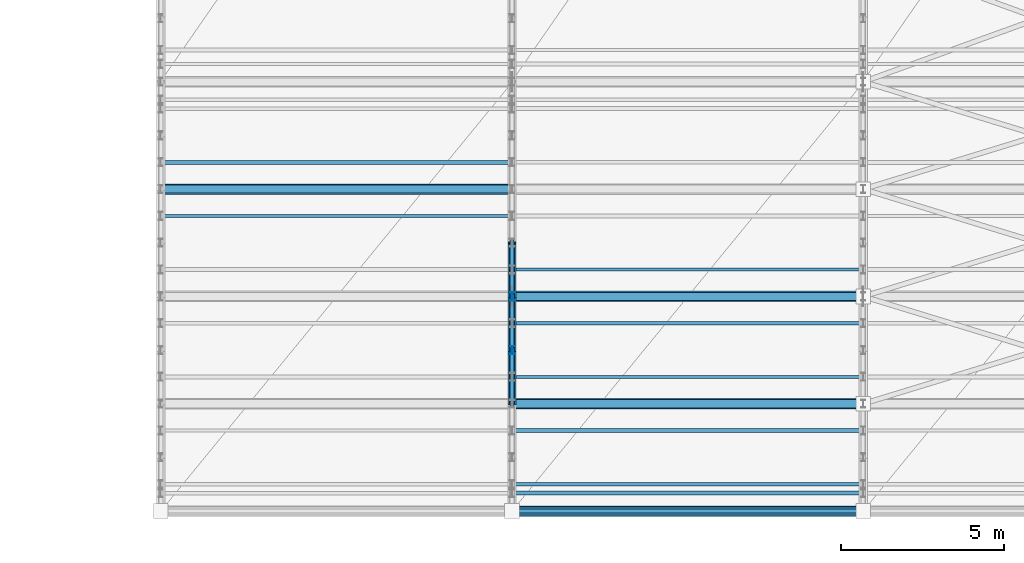
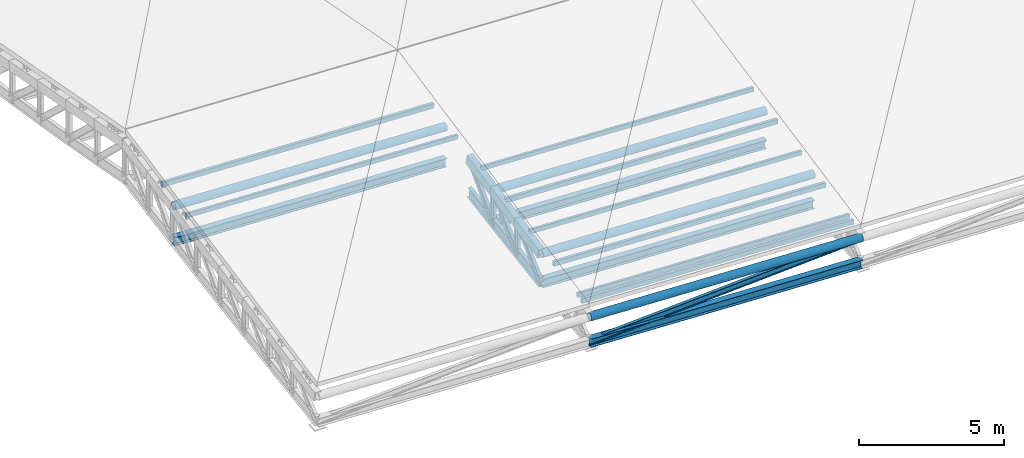
# One storey, part 14 of 89: 22 members, 6 beams.
"""IFC4 building model written with IfcOpenShell, lengths in metres."""

from ifc_helpers import new_model, si_unit, direction, frame, origin, origin_2d, place, context, subcontext, project, spatial, hollow_rectangle, hollow_circle, i_section, extrude, material, material_profile, profile_set, type_object, element, save


model = new_model("IFC4")

# Units and contexts
model_context = context("Model", 3, precision=1e-05, world=origin(), true_north=direction((0.0, 1.0)))
body_context = subcontext(model_context, "Body", "Model", "MODEL_VIEW")
ifc_project = project(units=[si_unit("LENGTHUNIT", "METRE"), si_unit("AREAUNIT", "SQUARE_METRE"), si_unit("VOLUMEUNIT", "CUBIC_METRE"), si_unit("PLANEANGLEUNIT", "RADIAN"), si_unit("MASSUNIT", "GRAM", prefix="KILO")], contexts=[model_context])

# Site, building, storey
site_placement = place(None, origin())
site = spatial("IfcSite", under=ifc_project, at=site_placement, CompositionType="ELEMENT")
building_placement = place(site_placement, origin())
building = spatial("IfcBuilding", under=site, at=building_placement, Name="Suirenkawa Promenade Aquatics Centre", CompositionType="ELEMENT")
storey_placement = place(building_placement, frame((0.0, 0.0, 9.60009765625)))
storey = spatial("IfcBuildingStorey", under=building, at=storey_placement, Name="L02", CompositionType="ELEMENT", Elevation=9.60009765625)

# Beams
ifc_material = material(Name="Steel IS 2062 E350 (Grade 350)", Category="steel")
ifc_material_profile_1 = material_profile(ifc_material, i_section(OverallWidth=0.14990234375, OverallDepth=0.449951171875, WebThickness=0.009033203125, FlangeThickness=0.01708984375, at=origin_2d()), Name="ISMB 450", Category="steel")
ifc_profile_set_1 = profile_set([ifc_material_profile_1], Name="Steel IS 2062 E350 (Grade 350)")
beam_type_1 = type_object("IfcBeamType", Name="BT-STL-ISMB450", PredefinedType="BEAM", material=ifc_profile_set_1)
beam_1_placement = place(storey_placement, frame((90.0, 3.300048828125, -1.2060546875), z_axis=(0.0, 0.987898893067, 0.155099249119), x_axis=(-1.0, 0.0, 0.0)))
element("IfcBeam", 1, at=beam_1_placement, inside=storey, type_object=beam_type_1, Name="ROOF TRUSS V3 bottom chord BM-08 BM-2612", PredefinedType="BEAM", context=body_context, shape_type="SweptSolid", body=[
    extrude(i_section(OverallWidth=0.14990234375, OverallDepth=0.449951171875, WebThickness=0.009033203125, FlangeThickness=0.01708984375, at=origin_2d()), origin(), (0.0, 0.0, 1.0), 1.670166015625),
])
beam_2_placement = place(storey_placement, frame((90.0, 4.949951171875, -0.947021484375), z_axis=(0.0, 0.987359371107, 0.158497546627), x_axis=(-1.0, 0.0, 0.0)))
element("IfcBeam", 2, at=beam_2_placement, inside=storey, type_object=beam_type_1, Name="ROOF TRUSS V3 bottom chord BM-08 BM-2614", PredefinedType="BEAM", context=body_context, shape_type="SweptSolid", body=[
    extrude(i_section(OverallWidth=0.14990234375, OverallDepth=0.449951171875, WebThickness=0.009033203125, FlangeThickness=0.01708984375, at=origin_2d()), origin(), (0.0, 0.0, 1.0), 1.67138671875),
])
beam_3_placement = place(storey_placement, frame((90.0, 6.60009765625, -0.68212890625), z_axis=(0.0, 0.986283257841, 0.165061610627), x_axis=(-1.0, 0.0, 0.0)))
element("IfcBeam", 3, at=beam_3_placement, inside=storey, type_object=beam_type_1, Name="ROOF TRUSS V3 bottom chord BM-08 BM-2616", PredefinedType="BEAM", context=body_context, shape_type="SweptSolid", body=[
    extrude(i_section(OverallWidth=0.14990234375, OverallDepth=0.449951171875, WebThickness=0.009033203125, FlangeThickness=0.01708984375, at=origin_2d()), origin(), (0.0, 0.0, 1.0), 1.6728515625),
])
ifc_material_profile_2 = material_profile(ifc_material, hollow_rectangle(XDim=0.25, YDim=0.39990234375, WallThickness=0.01611328125, at=origin_2d()), Name="RHS 400x250x16", Category="steel")
ifc_profile_set_2 = profile_set([ifc_material_profile_2], Name="Steel IS 2062 E350 (Grade 350)")
beam_type_2 = type_object("IfcBeamType", Name="BT-TC-RHS400", PredefinedType="BEAM", material=ifc_profile_set_2)
for number, where, z_axis, x_axis, name in (
    (4, (90.0, 3.300048828125, 0.0029296875), (0.0, 0.980457722696, 0.196729901151), (-1.0, 0.0, 0.0), "ROOF TRUSS V3 top chord TC-03 BM-2611"),
    (5, (90.0, 4.949951171875, 0.333984375), (0.0, 0.98049130361, 0.196562467287), (-1.0, 0.0, 0.0), "ROOF TRUSS V3 top chord TC-03 BM-2613"),
    (6, (90.0, 6.60009765625, 0.664794921875), (0.0, 0.980457722696, 0.196729901151), (-1.0, 0.0, 0.0), "ROOF TRUSS V3 top chord TC-03 BM-2615"),
):
    element("IfcBeam", number, at=place(storey_placement, frame(where, z_axis=z_axis, x_axis=x_axis)), inside=storey, type_object=beam_type_2, Name=name, PredefinedType="BEAM", context=body_context, shape_type="SweptSolid", body=[
        extrude(hollow_rectangle(XDim=0.25, YDim=0.39990234375, WallThickness=0.01611328125, at=origin_2d()), origin(), (0.0, 0.0, 1.0), 1.682861328125),
    ])

# Members
ifc_material_profile_3 = material_profile(ifc_material, hollow_circle(Radius=0.162109375, WallThickness=0.013916015625, at=origin_2d()), Name="CHS 324x14", Category="steel")
ifc_profile_set_3 = profile_set([ifc_material_profile_3], Name="Steel IS 2062 E350 (Grade 350)")
member_type_1 = type_object("IfcMemberType", Name="MT-CHORD-CHS324", PredefinedType="CHORD", material=ifc_profile_set_3)
for number, where, z_axis, x_axis, name in (
    (7, (90.0, 0.0, -0.66015625), (0.9991332688, 0.0, -0.041625847467), (0.0, 1.0, 0.0), "ROOF TRUSS V3 eave top chord CH-01 MB-1496"),
    (8, (90.0, 3.300048828125, 0.0029296875), (0.9991332688, 0.0, -0.041625847467), (0.0, 1.0, 0.0), "ROOF TRUSS V3 tie chord CH-01 MB-1537"),
    (9, (90.0, 6.60009765625, 0.664794921875), (0.9991332688, 0.0, -0.041625847467), (0.0, 1.0, 0.0), "ROOF TRUSS V3 tie chord CH-01 MB-1551"),
    (10, (79.199951171875, 9.89990234375, 1.77783203125), (0.9991332688, 0.0, -0.041625847467), (0.0, 1.0, 0.0), "ROOF TRUSS V3 tie chord CH-01 MB-1563"),
):
    element("IfcMember", number, at=place(storey_placement, frame(where, z_axis=z_axis, x_axis=x_axis)), inside=storey, type_object=member_type_1, Name=name, PredefinedType="CHORD", context=body_context, shape_type="SweptSolid", body=[
        extrude(hollow_circle(Radius=0.162109375, WallThickness=0.013916015625, at=origin_2d()), origin(), (0.0, 0.0, 1.0), 10.809326171875),
    ])
ifc_material_profile_4 = material_profile(ifc_material, i_section(OverallWidth=0.25, OverallDepth=0.35009765625, WebThickness=0.010009765625, FlangeThickness=0.011962890625, at=origin_2d()), Name="ISHB 350", Category="steel")
ifc_profile_set_4 = profile_set([ifc_material_profile_4], Name="Steel IS 2062 E350 (Grade 350)")
member_type_2 = type_object("IfcMemberType", Name="MT-CHORD-ISHB350", PredefinedType="CHORD", material=ifc_profile_set_4)
for number, where, z_axis, x_axis, name in (
    (11, (90.0, 0.0, -1.710205078125), (0.9991332688, 0.0, -0.041625847467), (0.0, 1.0, 0.0), "ROOF TRUSS V3 eave bottom chord CH-04 MB-1497"),
    (12, (90.0, 3.300048828125, -1.2060546875), (0.9991332688, 0.0, -0.041625847467), (0.0, 1.0, 0.0), "ROOF TRUSS V3 bottom tie CH-04 MB-1538"),
    (13, (90.0, 6.60009765625, -0.68212890625), (0.9991332688, 0.0, -0.041625847467), (0.0, 1.0, 0.0), "ROOF TRUSS V3 bottom tie CH-04 MB-1552"),
    (14, (79.199951171875, 9.89990234375, 0.330810546875), (0.9991332688, 0.0, -0.041625847467), (0.0, 1.0, 0.0), "ROOF TRUSS V3 bottom tie CH-04 MB-1564"),
):
    element("IfcMember", number, at=place(storey_placement, frame(where, z_axis=z_axis, x_axis=x_axis)), inside=storey, type_object=member_type_2, Name=name, PredefinedType="CHORD", context=body_context, shape_type="SweptSolid", body=[
        extrude(i_section(OverallWidth=0.25, OverallDepth=0.35009765625, WebThickness=0.010009765625, FlangeThickness=0.011962890625, at=origin_2d()), origin(), (0.0, 0.0, 1.0), 10.809326171875),
    ])
ifc_material_profile_5 = material_profile(ifc_material, hollow_rectangle(XDim=0.10009765625, YDim=0.179931640625, WallThickness=0.008056640625, at=origin_2d()), Name="RHS 180x100x8", Category="steel")
ifc_profile_set_5 = profile_set([ifc_material_profile_5], Name="Steel IS 2062 E350 (Grade 350)")
member_type_3 = type_object("IfcMemberType", Name="MT-PURLIN-RHS180", PredefinedType="PURLIN", material=ifc_profile_set_5)
for number, where, z_axis, x_axis, name in (
    (15, (79.199951171875, 9.074951171875, 1.864013671875), (0.999132329203, 0.0, -0.041648394219), (0.0, 1.0, 0.0), "ROOF TRUSS Roof purlin PU-01 MB-2623"),
    (16, (90.0, 0.824951171875, -0.2421875), (0.9991332688, 0.0, -0.041625847467), (0.0, 1.0, 0.0), "ROOF TRUSS Roof purlin PU-01 MB-2667"),
    (17, (90.0, 4.125, 0.419921875), (0.9991332688, 0.0, -0.041625847467), (0.0, 1.0, 0.0), "ROOF TRUSS Roof purlin PU-01 MB-2671"),
    (18, (90.0, 7.425048828125, 1.0830078125), (0.999132329203, 0.0, -0.041648394219), (0.0, 1.0, 0.0), "ROOF TRUSS Roof purlin PU-01 MB-2675"),
):
    element("IfcMember", number, at=place(storey_placement, frame(where, z_axis=z_axis, x_axis=x_axis)), inside=storey, type_object=member_type_3, Name=name, PredefinedType="PURLIN", context=body_context, shape_type="SweptSolid", body=[
        extrude(hollow_rectangle(XDim=0.10009765625, YDim=0.179931640625, WallThickness=0.008056640625, at=origin_2d()), origin(), (0.0, 0.0, 1.0), 10.809326171875),
    ])
ifc_material_profile_6 = material_profile(ifc_material, hollow_rectangle(XDim=0.1201171875, YDim=0.199951171875, WallThickness=0.008056640625, at=origin_2d()), Name="RHS 200x120x8", Category="steel")
ifc_profile_set_6 = profile_set([ifc_material_profile_6], Name="Steel IS 2062 E350 (Grade 350)")
member_type_4 = type_object("IfcMemberType", Name="MT-PURLIN-RHS200", PredefinedType="PURLIN", material=ifc_profile_set_6)
for number, where, z_axis, x_axis, name in (
    (19, (79.199951171875, 10.72509765625, 2.182861328125), (0.9991332688, 0.0, -0.041625847467), (0.0, 1.0, 0.0), "ROOF TRUSS Roof purlin PU-02 MB-2626"),
    (20, (90.0, 0.550048828125, -0.31005859375), (0.9991332688, 0.0, -0.041625847467), (0.0, 1.0, 0.0), "ROOF TRUSS Roof purlin PU-02 MB-2665"),
    (21, (90.0, 2.47509765625, 0.076904296875), (0.9991332688, 0.0, -0.041625847467), (0.0, 1.0, 0.0), "ROOF TRUSS Roof purlin PU-02 MB-2669"),
    (22, (90.0, 5.77490234375, 0.739013671875), (0.999132329203, 0.0, -0.041648394219), (0.0, 1.0, 0.0), "ROOF TRUSS Roof purlin PU-02 MB-2673"),
):
    element("IfcMember", number, at=place(storey_placement, frame(where, z_axis=z_axis, x_axis=x_axis)), inside=storey, type_object=member_type_4, Name=name, PredefinedType="PURLIN", context=body_context, shape_type="SweptSolid", body=[
        extrude(hollow_rectangle(XDim=0.1201171875, YDim=0.199951171875, WallThickness=0.008056640625, at=origin_2d()), origin(), (0.0, 0.0, 1.0), 10.809326171875),
    ])
ifc_material_profile_7 = material_profile(ifc_material, i_section(OverallWidth=0.125, OverallDepth=0.25, WebThickness=0.007080078125, FlangeThickness=0.012939453125, at=origin_2d()), Name="ISMB 250", Category="steel")
ifc_profile_set_7 = profile_set([ifc_material_profile_7], Name="Steel IS 2062 E350 (Grade 350)")
member_type_5 = type_object("IfcMemberType", Name="MT-WEB-CHS168", PredefinedType="BRACE", material=ifc_profile_set_7)
member_1_placement = place(storey_placement, frame((90.0, 3.300048828125, -1.2060546875), z_axis=(0.0, 0.731026490239, 0.682349082632), x_axis=(-1.0, 0.0, 0.0)))
element("IfcMember", 23, at=member_1_placement, inside=storey, type_object=member_type_5, Name="ROOF TRUSS V3 web diagonal TD-03 MB-1309", PredefinedType="BRACE", context=body_context, shape_type="SweptSolid", body=[
    extrude(i_section(OverallWidth=0.125, OverallDepth=0.25, WebThickness=0.007080078125, FlangeThickness=0.012939453125, at=origin_2d()), origin(), (0.0, 0.0, 1.0), 2.257080078125),
])
member_2_placement = place(storey_placement, frame((90.0, 4.949951171875, -0.947021484375), z_axis=(0.0, 0.715366336364, 0.698749600928), x_axis=(-1.0, 0.0, 0.0)))
element("IfcMember", 24, at=member_2_placement, inside=storey, type_object=member_type_5, Name="ROOF TRUSS V3 web diagonal TD-03 MB-1310", PredefinedType="BRACE", context=body_context, shape_type="SweptSolid", body=[
    extrude(i_section(OverallWidth=0.125, OverallDepth=0.25, WebThickness=0.007080078125, FlangeThickness=0.012939453125, at=origin_2d()), origin(), (0.0, 0.0, 1.0), 2.306640625),
])
member_3_placement = place(storey_placement, frame((90.0, 6.60009765625, -0.68212890625), z_axis=(0.0, 0.701116216261, 0.713047018994), x_axis=(-1.0, 0.0, 0.0)))
element("IfcMember", 25, at=member_3_placement, inside=storey, type_object=member_type_5, Name="ROOF TRUSS V3 web diagonal TD-03 MB-1311", PredefinedType="BRACE", context=body_context, shape_type="SweptSolid", body=[
    extrude(i_section(OverallWidth=0.125, OverallDepth=0.25, WebThickness=0.007080078125, FlangeThickness=0.012939453125, at=origin_2d()), origin(), (0.0, 0.0, 1.0), 2.353271484375),
])
member_4_placement = place(storey_placement, frame((90.0, 4.949951171875, -0.947021484375), z_axis=(0.0, 0.0, 1.0), x_axis=(1.0, 0.0, 0.0)))
element("IfcMember", 26, at=member_4_placement, inside=storey, type_object=member_type_5, Name="ROOF TRUSS V3 web post TD-03 MB-1325", PredefinedType="BRACE", context=body_context, shape_type="SweptSolid", body=[
    extrude(i_section(OverallWidth=0.125, OverallDepth=0.25, WebThickness=0.007080078125, FlangeThickness=0.012939453125, at=origin_2d()), origin(), (0.0, 0.0, 1.0), 1.281005859375),
])
member_5_placement = place(storey_placement, frame((90.0, 6.60009765625, -0.68212890625), z_axis=(0.0, 0.0, 1.0), x_axis=(1.0, 0.0, 0.0)))
element("IfcMember", 27, at=member_5_placement, inside=storey, type_object=member_type_5, Name="ROOF TRUSS V3 web post TD-03 MB-1326", PredefinedType="BRACE", context=body_context, shape_type="SweptSolid", body=[
    extrude(i_section(OverallWidth=0.125, OverallDepth=0.25, WebThickness=0.007080078125, FlangeThickness=0.012939453125, at=origin_2d()), origin(), (0.0, 0.0, 1.0), 1.346923828125),
])
member_6_placement = place(storey_placement, frame((90.0, 0.0, -1.710205078125), z_axis=(0.998459867029, 0.0, 0.055478770106), x_axis=(0.0, 1.0, 0.0)))
element("IfcMember", 28, at=member_6_placement, inside=storey, type_object=member_type_5, Name="ROOF TRUSS V3 eave web diagonal TD-03 MB-1498", PredefinedType="BRACE", context=body_context, shape_type="SweptSolid", body=[
    extrude(i_section(OverallWidth=0.125, OverallDepth=0.25, WebThickness=0.007080078125, FlangeThickness=0.012939453125, at=origin_2d()), origin(), (0.0, 0.0, 1.0), 10.816650390625),
])

save(model, "model.ifc")
